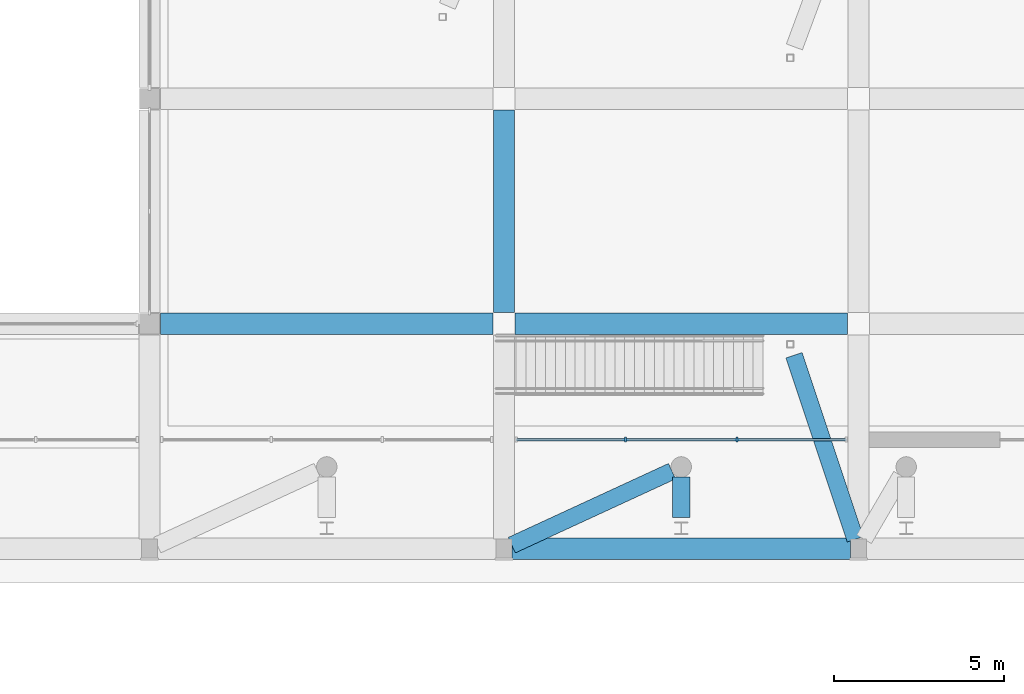
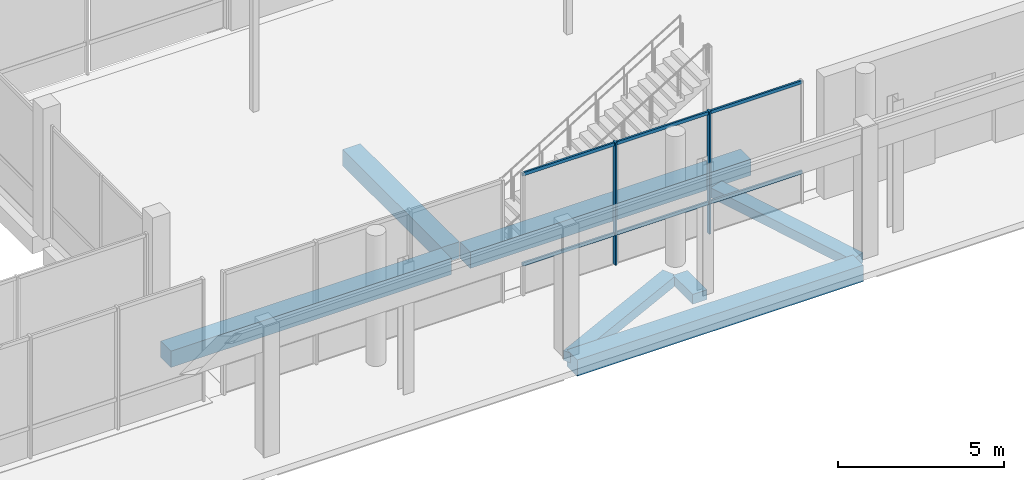
# One storey, part 25 of 88: 7 beams, 4 members, 1 element without a shape of its own.
"""IFC4 building model written with IfcOpenShell, lengths in metres."""

from ifc_helpers import new_model, si_unit, derived_unit, direction, frame, origin, origin_2d, place, context, subcontext, project, spatial, rectangle, extrude, material, material_profile, profile_set, type_object, element, aggregate, save


model = new_model("IFC4")

# Units and contexts
model_context = context("Model", 3, precision=1e-05, world=origin(), true_north=direction((0.0, 1.0)))
body_context = subcontext(model_context, "Body", "Model", "MODEL_VIEW")
ifc_project = project(units=[si_unit("LENGTHUNIT", "METRE"), si_unit("AREAUNIT", "SQUARE_METRE"), si_unit("VOLUMEUNIT", "CUBIC_METRE"), si_unit("PLANEANGLEUNIT", "RADIAN"), si_unit("MASSUNIT", "GRAM", prefix="KILO"), derived_unit("THERMALTRANSMITTANCEUNIT", [(si_unit("POWERUNIT", "WATT"), 1), (si_unit("LENGTHUNIT", "METRE"), -2), (si_unit("THERMODYNAMICTEMPERATUREUNIT", "KELVIN"), -1)])], contexts=[model_context])

# Site, building, storey
site_placement = place(None, origin())
site = spatial("IfcSite", under=ifc_project, at=site_placement, CompositionType="ELEMENT")
building_placement = place(site_placement, origin())
building = spatial("IfcBuilding", under=site, at=building_placement, Name="Braskholm Square Health Centre", CompositionType="ELEMENT")
storey_placement = place(building_placement, origin())
storey = spatial("IfcBuildingStorey", under=building, at=storey_placement, Name="L01", CompositionType="ELEMENT", Elevation=0.0)

# Curtain wall, members
ifc_material_1 = material(Name="Low-E triple insulating glass (VLT 0.64)", Category="glass")
curtain_wall_type = type_object("IfcCurtainWallType", Name="UnitisedCurtainWall6200x4400", PredefinedType="NOTDEFINED", material=ifc_material_1)
curtain_wall_placement = place(storey_placement, origin())
curtain_wall = element("IfcCurtainWall", 1, at=curtain_wall_placement, inside=storey, type_object=curtain_wall_type, Name="Hall Arcade unitised curtain wall CW-L01-0186", PredefinedType="NOTDEFINED")
ifc_material_2 = material(Name="Architectural bronze anodised aluminium", Category="aluminium")
ifc_material_profile_1 = material_profile(ifc_material_2, rectangle(XDim=0.06494140625, YDim=0.14990234375, at=origin_2d()), Name="ALU-65X150")
ifc_profile_set_1 = profile_set([ifc_material_profile_1], Name="Architectural bronze anodised aluminium")
member_type_1 = type_object("IfcMemberType", Name="CurtainWallMullion65x150", PredefinedType="MULLION", material=ifc_profile_set_1)
member_1_placement = place(storey_placement, frame((61.566650390625, 90.39990234375, 0.0), z_axis=(0.0, 0.0, 1.0), x_axis=(1.0, 0.0, 0.0)))
member_1 = element("IfcMember", 2, at=member_1_placement, type_object=member_type_1, Name="CW-L01-0186 vertical mullion 2", PredefinedType="MULLION", context=body_context, shape_type="SweptSolid", body=[
    extrude(rectangle(XDim=0.06494140625, YDim=0.14990234375, at=origin_2d()), origin(), (0.0, 0.0, 1.0), 4.5),
])
member_2_placement = place(storey_placement, frame((64.833251953125, 90.39990234375, 0.0), z_axis=(0.0, 0.0, 1.0), x_axis=(1.0, 0.0, 0.0)))
member_2 = element("IfcMember", 3, at=member_2_placement, type_object=member_type_1, Name="CW-L01-0186 vertical mullion 3", PredefinedType="MULLION", context=body_context, shape_type="SweptSolid", body=[
    extrude(rectangle(XDim=0.06494140625, YDim=0.14990234375, at=origin_2d()), origin(), (0.0, 0.0, 1.0), 4.5),
])
ifc_material_profile_2 = material_profile(ifc_material_2, rectangle(XDim=0.06494140625, YDim=0.1201171875, at=origin_2d()), Name="ALU-65X120")
ifc_profile_set_2 = profile_set([ifc_material_profile_2], Name="Architectural bronze anodised aluminium")
member_type_2 = type_object("IfcMemberType", Name="CurtainWallTransom65x120", PredefinedType="USERDEFINED", material=ifc_profile_set_2)
member_3_placement = place(storey_placement, frame((58.344970703125, 90.39990234375, 1.1201171875), z_axis=(1.0, 0.0, 0.0), x_axis=(0.0, 1.0, 0.0)))
member_3 = element("IfcMember", 4, at=member_3_placement, type_object=member_type_2, Name="CW-L01-0186 horizontal transom 1", ObjectType="TRANSOM", PredefinedType="USERDEFINED", context=body_context, shape_type="SweptSolid", body=[
    extrude(rectangle(XDim=0.06494140625, YDim=0.1201171875, at=origin_2d()), origin(), (0.0, 0.0, 1.0), 9.7099609375),
])
member_4_placement = place(storey_placement, frame((58.344970703125, 90.39990234375, 4.429931640625), z_axis=(1.0, 0.0, 0.0), x_axis=(0.0, 1.0, 0.0)))
member_4 = element("IfcMember", 5, at=member_4_placement, type_object=member_type_2, Name="CW-L01-0186 horizontal transom 2", ObjectType="TRANSOM", PredefinedType="USERDEFINED", context=body_context, shape_type="SweptSolid", body=[
    extrude(rectangle(XDim=0.06494140625, YDim=0.1201171875, at=origin_2d()), origin(), (0.0, 0.0, 1.0), 9.7099609375),
])
aggregate(curtain_wall, [member_1, member_2, member_3, member_4])

# Beams
ifc_material_3 = material(Name="Concrete C35/45 (f'c = 35 MPa)", Category="concrete")
ifc_material_profile_3 = material_profile(ifc_material_3, rectangle(XDim=0.5, YDim=0.360107421875, at=origin_2d()), Name="RCB-500X360")
ifc_profile_set_3 = profile_set([ifc_material_profile_3], Name="Concrete C35/45 (f'c = 35 MPa)")
beam_type_1 = type_object("IfcBeamType", Name="PrimaryBandBeam500x360", PredefinedType="BEAM", material=ifc_profile_set_3)
beam_1_placement = place(storey_placement, frame((62.929443359375, 89.47509765625, -0.405029296875), z_axis=(-0.907966284726, -0.419043226649, 0.0), x_axis=(0.419043226649, -0.907966284726, 0.0)))
element("IfcBeam", 6, at=beam_1_placement, inside=storey, type_object=beam_type_1, Name="Tie beam RC02 L01", PredefinedType="BEAM", context=body_context, shape_type="SweptSolid", body=[
    extrude(rectangle(XDim=0.5, YDim=0.360107421875, at=origin_2d()), origin(), (0.0, 0.0, 1.0), 5.177734375),
])
beam_2_placement = place(storey_placement, frame((63.199951171875, 88.123046875, -0.405029296875), z_axis=(0.0, 1.0, 0.0), x_axis=(-1.0, 0.0, 0.0)))
element("IfcBeam", 7, at=beam_2_placement, inside=storey, type_object=beam_type_1, Name="Tie beam CS1B L01", PredefinedType="BEAM", context=body_context, shape_type="SweptSolid", body=[
    extrude(rectangle(XDim=0.5, YDim=0.360107421875, at=origin_2d()), origin(), (0.0, 0.0, 1.0), 1.178955078125),
])
beam_3_placement = place(storey_placement, frame((66.5078125, 92.876953125, -0.47998046875), z_axis=(0.316214896029, -0.94868758795, 0.0), x_axis=(0.94868758795, 0.316214896029, 0.0)))
element("IfcBeam", 8, at=beam_3_placement, inside=storey, type_object=beam_type_1, Name="Tie beam CS3A L01", PredefinedType="BEAM", context=body_context, shape_type="SweptSolid", body=[
    extrude(rectangle(XDim=0.5, YDim=0.360107421875, at=origin_2d()), origin(), (0.0, 0.0, 1.0), 5.69091796875),
])
ifc_material_4 = material(Name="Concrete C40/50 (f'c = 40 MPa)", Category="concrete")
ifc_material_profile_4 = material_profile(ifc_material_4, rectangle(XDim=0.6201171875, YDim=0.60009765625, at=origin_2d()), Name="RCB-620X600")
ifc_profile_set_4 = profile_set([ifc_material_profile_4], Name="Concrete C40/50 (f'c = 40 MPa)")
beam_type_2 = type_object("IfcBeamType", Name="PrimarySubstructureBeam620x600", PredefinedType="BEAM", material=ifc_profile_set_4)
beam_4_placement = place(storey_placement, frame((58.0, 94.125, -0.60009765625), z_axis=(0.0, 1.0, 0.0), x_axis=(-1.0, 0.0, 0.0)))
element("IfcBeam", 9, at=beam_4_placement, inside=storey, type_object=beam_type_2, Name="Beam 9/P-Q L01", PredefinedType="BEAM", context=body_context, shape_type="SweptSolid", body=[
    extrude(rectangle(XDim=0.6201171875, YDim=0.60009765625, at=origin_2d()), origin(), (0.0, 0.0, 1.0), 5.949951171875),
])
beam_5_placement = place(storey_placement, frame((58.22998046875, 87.199951171875, -0.52490234375), z_axis=(1.0, 0.0, 0.0), x_axis=(0.0, 1.0, 0.0)))
element("IfcBeam", 10, at=beam_5_placement, inside=storey, type_object=beam_type_2, Name="Beam 9-10/N L01", PredefinedType="BEAM", context=body_context, shape_type="SweptSolid", body=[
    extrude(rectangle(XDim=0.6201171875, YDim=0.60009765625, at=origin_2d()), origin(), (0.0, 0.0, 1.0), 9.93994140625),
])
for number, where, z_axis, x_axis, name in (
    (11, (47.925048828125, 93.800048828125, -0.60009765625), (1.0, 0.0, 0.0), (0.0, 1.0, 0.0), "Beam 8-9/P L01"),
    (12, (58.324951171875, 93.800048828125, -0.60009765625), (1.0, 0.0, 0.0), (0.0, 1.0, 0.0), "Beam 9-10/P L01"),
):
    element("IfcBeam", number, at=place(storey_placement, frame(where, z_axis=z_axis, x_axis=x_axis)), inside=storey, type_object=beam_type_2, Name=name, PredefinedType="BEAM", context=body_context, shape_type="SweptSolid", body=[
        extrude(rectangle(XDim=0.6201171875, YDim=0.60009765625, at=origin_2d()), origin(), (0.0, 0.0, 1.0), 9.75),
    ])

save(model, "model.ifc")
